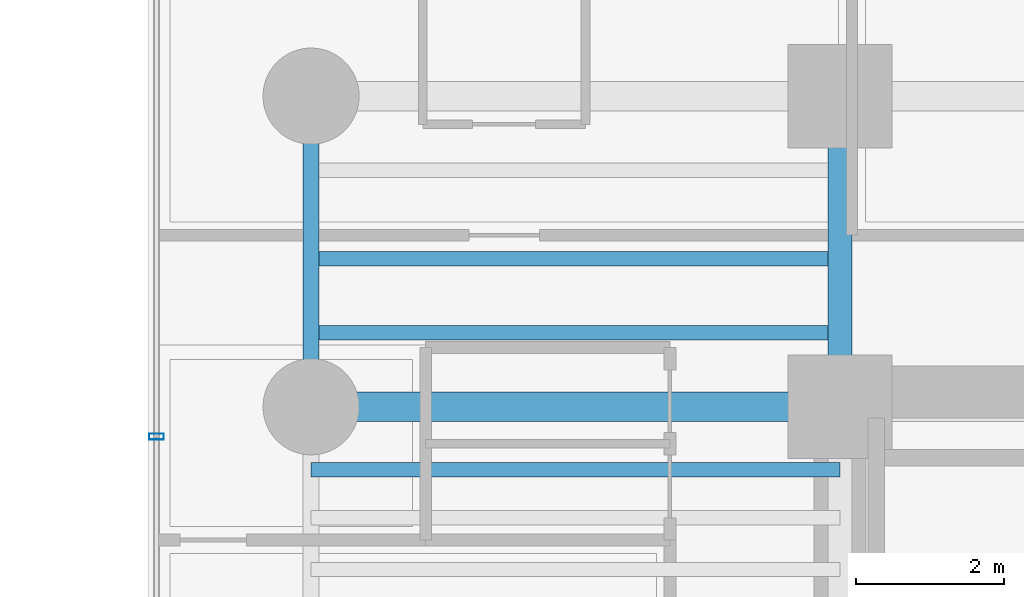
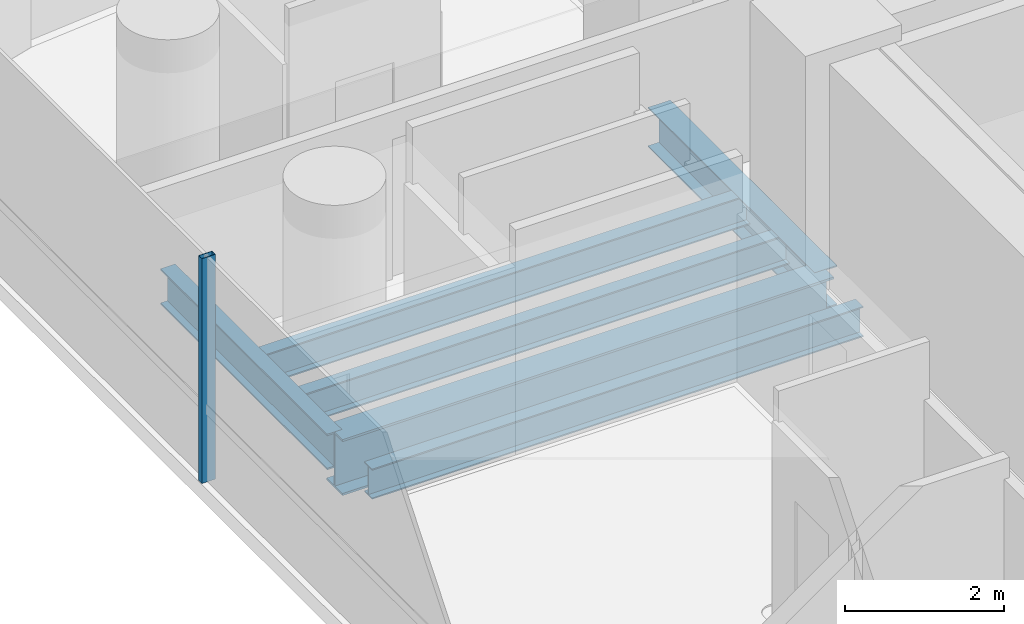
# One storey, part 10 of 42: 6 beams, 1 member, 1 element without a shape of its own.
"""IFC4 building model written with IfcOpenShell, lengths in metres."""

from ifc_helpers import new_model, si_unit, direction, frame, origin, origin_2d, place, context, subcontext, project, spatial, hollow_rectangle, i_section, extrude, source, transform, mapped, material, material_profile, profile_set, type_object, element, aggregate, save


model = new_model("IFC4")

# Units and contexts
model_context = context("Model", 3, precision=1e-05, world=origin(), true_north=direction((0.0, 1.0)))
body_context = subcontext(model_context, "Body", "Model", "MODEL_VIEW")
ifc_project = project(units=[si_unit("LENGTHUNIT", "METRE"), si_unit("AREAUNIT", "SQUARE_METRE"), si_unit("VOLUMEUNIT", "CUBIC_METRE"), si_unit("PLANEANGLEUNIT", "RADIAN"), si_unit("MASSUNIT", "GRAM", prefix="KILO")], contexts=[model_context])

# Site, building, storey
site_placement = place(None, origin())
site = spatial("IfcSite", under=ifc_project, at=site_placement, CompositionType="ELEMENT")
building_placement = place(site_placement, origin())
building = spatial("IfcBuilding", under=site, at=building_placement, Name="Valdorenza Pilgrim Sanctuary Tower", CompositionType="ELEMENT")
storey_placement = place(building_placement, frame((0.0, 0.0, 29.699951171875)))
storey = spatial("IfcBuildingStorey", under=building, at=storey_placement, Name="L06", CompositionType="ELEMENT", Elevation=29.699951171875)

# Beams
ifc_material_1 = material(Name="Steel ASTM A992 Grade 50", Category="steel")
ifc_material_profile_1 = material_profile(ifc_material_1, i_section(OverallWidth=0.214111328125, OverallDepth=0.549072265625, WebThickness=0.0146484375, FlangeThickness=0.023681640625, at=origin_2d()), Name="W21X93")
ifc_profile_set_1 = profile_set([ifc_material_profile_1], Name="Steel ASTM A992 Grade 50")
beam_type_1 = type_object("IfcBeamType", Name="STR-BM-SPN-W21A", PredefinedType="SPANDREL", material=ifc_profile_set_1)
shared_shape_1 = source(origin(), body_context, "Body", "SweptSolid", [
    extrude(i_section(OverallWidth=0.214111328125, OverallDepth=0.549072265625, WebThickness=0.0146484375, FlangeThickness=0.023681640625, at=origin_2d()), origin(), (0.0, 0.0, 1.0), 4.199951171875),
])
beam_1_placement = place(storey_placement, frame((-29.800048828125, 10.60009765625, -0.514404296875), z_axis=(0.0, 1.0, 0.0), x_axis=(-1.0, 0.0, 0.0)))
element("IfcBeam", 1, at=beam_1_placement, inside=storey, type_object=beam_type_1, Name="L06 Spandrel Beam WA-W-N1N2", PredefinedType="SPANDREL", context=body_context, shape_type="MappedRepresentation", body=[
    mapped(shared_shape_1, transform((0.0, 0.0, 0.0), x_axis=(1.0, 0.0, 0.0), y_axis=(0.0, 1.0, 0.0), z_axis=(0.0, 0.0, 1.0), scale=1.0)),
])
ifc_material_profile_2 = material_profile(ifc_material_1, i_section(OverallWidth=0.323974609375, OverallDepth=0.611083984375, WebThickness=0.0126953125, FlangeThickness=0.01904296875, at=origin_2d()), Name="W24X104")
ifc_profile_set_2 = profile_set([ifc_material_profile_2], Name="Steel ASTM A992 Grade 50")
beam_type_2 = type_object("IfcBeamType", Name="STR-BM-GRD-W24B", PredefinedType="BEAM", material=ifc_profile_set_2)
shared_shape_2 = source(origin(), body_context, "Body", "SweptSolid", [
    extrude(i_section(OverallWidth=0.323974609375, OverallDepth=0.611083984375, WebThickness=0.0126953125, FlangeThickness=0.01904296875, at=origin_2d()), origin(), (0.0, 0.0, 1.0), 4.199951171875),
])
beam_2_placement = place(storey_placement, frame((-22.64990234375, 10.60009765625, -0.54541015625), z_axis=(0.0, 1.0, 0.0), x_axis=(-1.0, 0.0, 0.0)))
element("IfcBeam", 2, at=beam_2_placement, inside=storey, type_object=beam_type_2, Name="L06 Core Tie Girder CA-W-N1N2", PredefinedType="BEAM", context=body_context, shape_type="MappedRepresentation", body=[
    mapped(shared_shape_2, transform((0.0, 0.0, 0.0), x_axis=(1.0, 0.0, 0.0), y_axis=(0.0, 1.0, 0.0), z_axis=(0.0, 0.0, 1.0), scale=1.0)),
])
ifc_material_profile_3 = material_profile(ifc_material_1, i_section(OverallWidth=0.193115234375, OverallDepth=0.466064453125, WebThickness=0.011474609375, FlangeThickness=0.01904296875, at=origin_2d()), Name="W18X65")
ifc_profile_set_3 = profile_set([ifc_material_profile_3], Name="Steel ASTM A992 Grade 50")
beam_type_3 = type_object("IfcBeamType", Name="STR-BM-JST-W18A", PredefinedType="JOIST", material=ifc_profile_set_3)
shared_shape_3 = source(origin(), body_context, "Body", "SweptSolid", [
    extrude(i_section(OverallWidth=0.193115234375, OverallDepth=0.466064453125, WebThickness=0.011474609375, FlangeThickness=0.01904296875, at=origin_2d()), origin(), (0.0, 0.0, 1.0), 7.150146484375),
])
for number, where, z_axis, x_axis, name in (
    (3, (-29.800048828125, 9.75, -0.472900390625), (1.0, 0.0, 0.0), (0.0, 1.0, 0.0), "L06 Composite Floor Joist JST-WA-23"),
    (4, (-29.800048828125, 11.60009765625, -0.472900390625), (1.0, 0.0, 0.0), (0.0, 1.0, 0.0), "L06 Composite Floor Joist JST-WA-24"),
    (5, (-29.800048828125, 12.60009765625, -0.472900390625), (1.0, 0.0, 0.0), (0.0, 1.0, 0.0), "L06 Composite Floor Joist JST-WA-25"),
):
    element("IfcBeam", number, at=place(storey_placement, frame(where, z_axis=z_axis, x_axis=x_axis)), inside=storey, type_object=beam_type_3, Name=name, PredefinedType="JOIST", context=body_context, shape_type="MappedRepresentation", body=[
        mapped(shared_shape_3, transform((0.0, 0.0, 0.0), x_axis=(1.0, 0.0, 0.0), y_axis=(0.0, 1.0, 0.0), z_axis=(0.0, 0.0, 1.0), scale=1.0)),
    ])
ifc_material_profile_4 = material_profile(ifc_material_1, i_section(OverallWidth=0.39990234375, OverallDepth=0.862060546875, WebThickness=0.019775390625, FlangeThickness=0.032470703125, at=origin_2d()), Name="W33X221")
ifc_profile_set_4 = profile_set([ifc_material_profile_4], Name="Steel ASTM A992 Grade 50")
beam_type_4 = type_object("IfcBeamType", Name="STR-BM-GRD-W33", PredefinedType="BEAM", material=ifc_profile_set_4)
shared_shape_4 = source(origin(), body_context, "Body", "SweptSolid", [
    extrude(i_section(OverallWidth=0.39990234375, OverallDepth=0.862060546875, WebThickness=0.019775390625, FlangeThickness=0.032470703125, at=origin_2d()), origin(), (0.0, 0.0, 1.0), 7.150146484375),
])
beam_3_placement = place(storey_placement, frame((-29.800048828125, 10.60009765625, -0.6708984375), z_axis=(1.0, 0.0, 0.0), x_axis=(0.0, 1.0, 0.0)))
element("IfcBeam", 6, at=beam_3_placement, inside=storey, type_object=beam_type_4, Name="L06 Floor Girder WA-XW-N1", PredefinedType="BEAM", context=body_context, shape_type="MappedRepresentation", body=[
    mapped(shared_shape_4, transform((0.0, 0.0, 0.0), x_axis=(1.0, 0.0, 0.0), y_axis=(0.0, 1.0, 0.0), z_axis=(0.0, 0.0, 1.0), scale=1.0)),
])

# Curtain wall, member
ifc_material_2 = material(Name="Curtain-wall IGU glazing", Category="glass")
curtain_wall_type = type_object("IfcCurtainWallType", Name="CW-SYS-02", PredefinedType="NOTDEFINED", material=ifc_material_2)
curtain_wall_placement = place(storey_placement, origin())
curtain_wall = element("IfcCurtainWall", 7, at=curtain_wall_placement, inside=storey, type_object=curtain_wall_type, Name="L06 Curtain Wall CW-L06-1-1S2", PredefinedType="NOTDEFINED")
ifc_material_3 = material(Name="Anodised aluminium AW-6060", Category="aluminium")
ifc_material_profile_5 = material_profile(ifc_material_3, hollow_rectangle(XDim=0.0849609375, YDim=0.199951171875, WallThickness=0.0048828125, at=origin_2d()), Name="ALU-M 200x85x5")
ifc_profile_set_5 = profile_set([ifc_material_profile_5], Name="Anodised aluminium AW-6060")
member_type = type_object("IfcMemberType", Name="CW-MUL-02", PredefinedType="MULLION", material=ifc_profile_set_5)
shared_shape_5 = source(origin(), body_context, "Body", "SweptSolid", [
    extrude(hollow_rectangle(XDim=0.0849609375, YDim=0.199951171875, WallThickness=0.0048828125, at=origin_2d()), origin(), (0.0, 0.0, 1.0), 3.4599609375),
])
member_placement = place(storey_placement, frame((-31.889892578125, 10.19580078125, 0.0), z_axis=(0.0, 0.0, 1.0), x_axis=(0.0, 1.0, 0.0)))
member = element("IfcMember", 8, at=member_placement, type_object=member_type, Name="CW-L06-1-1S2 Mullion 3", PredefinedType="MULLION", context=body_context, shape_type="MappedRepresentation", body=[
    mapped(shared_shape_5, transform((0.0, 0.0, 0.0), x_axis=(1.0, 0.0, 0.0), y_axis=(0.0, 1.0, 0.0), z_axis=(0.0, 0.0, 1.0), scale=1.0)),
])
aggregate(curtain_wall, [member])

save(model, "model.ifc")
